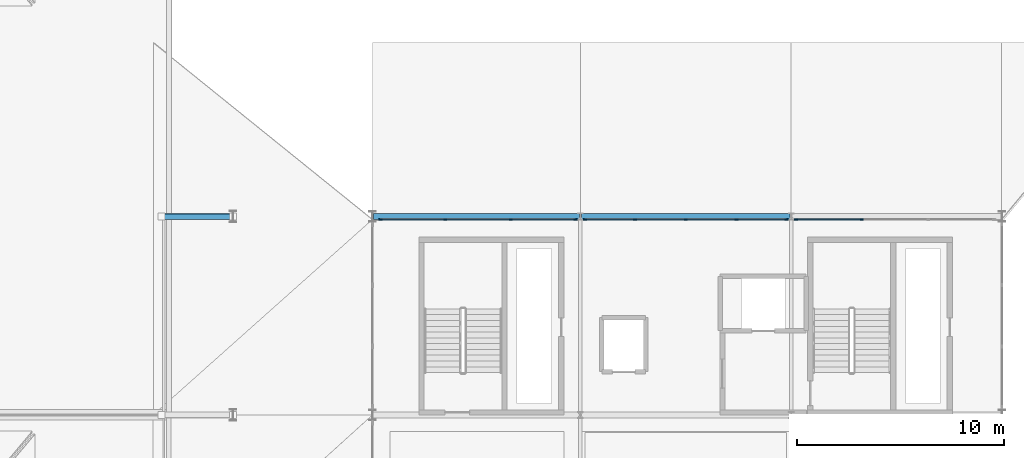
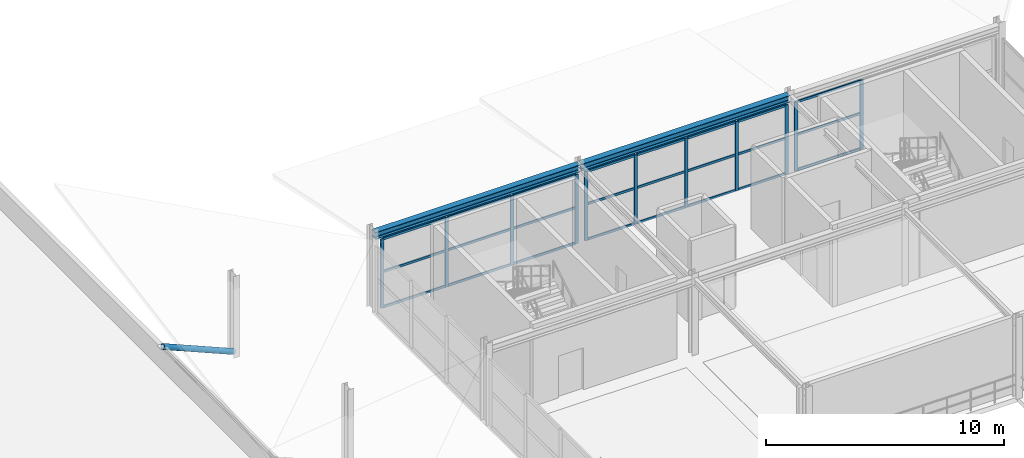
# One storey, part 25 of 81: 36 members, 2 beams, 3 elements without a shape of their own.
"""IFC4 building model written with IfcOpenShell, lengths in metres."""

import ifcopenshell
import ifcopenshell.guid

model = None  # the IFC model being written
_history = None  # IfcOwnerHistory: only IFC2X3 demands one
_inside = {}  # id of a spatial element -> (the spatial element, [elements in it])
_under = {}  # id of a project, library or spatial element -> (it, [spatial elements below it])
_declared = {}  # id of a project -> (the project, [libraries it declares])
_typed = {}  # id of a type object -> (the type object, [elements of that type])
_made_of = {}  # id of a material, layer set ... -> (it, [elements and type objects made of it])


def new_model(schema):
    """Start an empty IFC model of exactly this schema.

    Asked for "IFC4X3", IfcOpenShell would pick the latest addendum, in which some entities
    have other attributes; the version numbers below select the first issue.
    IFC2X3 requires an IfcOwnerHistory on every rooted entity: one is made here for all.
    """
    global model, _history
    if schema == "IFC4X3":
        model = ifcopenshell.file(schema_version=(4, 3, 0, 0))
    else:
        model = ifcopenshell.file(schema=schema)
    _inside.clear()
    _under.clear()
    _declared.clear()
    _typed.clear()
    _made_of.clear()
    _history = None
    if model.schema == "IFC2X3":
        org = make("IfcOrganization", Name="unknown")
        user = make(
            "IfcPersonAndOrganization",
            ThePerson=make("IfcPerson", FamilyName="unknown"),
            TheOrganization=org,
        )
        app = make(
            "IfcApplication",
            ApplicationDeveloper=org,
            Version="unknown",
            ApplicationFullName="unknown",
            ApplicationIdentifier="unknown",
        )
        _history = make(
            "IfcOwnerHistory",
            OwningUser=user,
            OwningApplication=app,
            ChangeAction="ADDED",
            CreationDate=0,
        )
    return model


def make(cls, **values):
    """One entity of the class cls with the attributes given. An attribute that is None is left unset."""
    return model.create_entity(
        cls, **{name: value for name, value in values.items() if value is not None}
    )


def rooted(cls, **values):
    """An entity with a GlobalId (a new one), such as an element, a storey or a relation."""
    return make(cls, GlobalId=ifcopenshell.guid.new(), OwnerHistory=_history, **values)


def si_unit(unit_type, name, prefix=None):
    """IfcSIUnit, for example si_unit("LENGTHUNIT", "METRE", prefix="MILLI")."""
    return make("IfcSIUnit", UnitType=unit_type, Prefix=prefix, Name=name)


def assignment(units):
    """IfcUnitAssignment: the units of a project."""
    return None if units is None else make("IfcUnitAssignment", Units=units)


def point(xyz):
    """IfcCartesianPoint."""
    return None if xyz is None else make("IfcCartesianPoint", Coordinates=xyz)


def direction(xyz):
    """IfcDirection."""
    return None if xyz is None else make("IfcDirection", DirectionRatios=xyz)


def frame(location, z_axis=None, x_axis=None):
    """IfcAxis2Placement3D, a coordinate frame: its origin and axes. An axis left out is left unset."""
    return make(
        "IfcAxis2Placement3D",
        Location=point(location),
        Axis=direction(z_axis),
        RefDirection=direction(x_axis),
    )


def frame_2d(location, x_axis=None):
    """IfcAxis2Placement2D, a coordinate frame in the plane: its origin and x axis."""
    return make(
        "IfcAxis2Placement2D", Location=point(location), RefDirection=direction(x_axis)
    )


def origin():
    """The frame at (0, 0, 0) with its axes left unset."""
    return frame((0.0, 0.0, 0.0))


def origin_2d():
    """The frame at (0, 0) in the plane with its x axis left unset."""
    return frame_2d((0.0, 0.0))


def place(relative_to, where):
    """IfcLocalPlacement: puts the frame where relative to a parent placement (None: the world)."""
    return make(
        "IfcLocalPlacement", PlacementRelTo=relative_to, RelativePlacement=where
    )


def context(
    kind, dimensions, precision=None, world=None, true_north=None, identifier=None
):
    """IfcGeometricRepresentationContext, for example the 3D "Model" context."""
    return make(
        "IfcGeometricRepresentationContext",
        ContextIdentifier=identifier,
        ContextType=kind,
        CoordinateSpaceDimension=dimensions,
        Precision=precision,
        WorldCoordinateSystem=world,
        TrueNorth=true_north,
    )


def subcontext(parent, identifier, kind, view, scale=None):
    """IfcGeometricRepresentationSubContext, for example "Body" below "Model"."""
    return make(
        "IfcGeometricRepresentationSubContext",
        ContextIdentifier=identifier,
        ContextType=kind,
        ParentContext=parent,
        TargetScale=scale,
        TargetView=view,
    )


def project(units=None, contexts=None):
    """IfcProject with its units and contexts."""
    return rooted(
        "IfcProject",
        Name="project",
        RepresentationContexts=contexts,
        UnitsInContext=assignment(units),
    )


def spatial(cls, under=None, at=None, **own):
    """A site, building, storey or space (cls), placed at a placement, below another one or the project."""
    s = rooted(cls, ObjectPlacement=at, **own)
    if under is not None:
        _under.setdefault(under.id(), (under, []))[1].append(s)
    return s


def profile(cls, at=None, kind="AREA", **sizes):
    """A parametric profile (cls). Its sizes go by their IFC names, for example OverallWidth=200.0."""
    return make(cls, ProfileType=kind, Position=at, **sizes)


def rectangle(**sizes):
    """IfcRectangleProfileDef."""
    return profile("IfcRectangleProfileDef", **sizes)


def hollow_circle(**sizes):
    """IfcCircleHollowProfileDef."""
    return profile("IfcCircleHollowProfileDef", **sizes)


def i_section(**sizes):
    """IfcIShapeProfileDef."""
    return profile("IfcIShapeProfileDef", **sizes)


def extrude(swept, where, along, depth):
    """IfcExtrudedAreaSolid: the profile swept, set in the frame where, extruded along a direction by depth."""
    return make(
        "IfcExtrudedAreaSolid",
        SweptArea=swept,
        Position=where,
        ExtrudedDirection=direction(along),
        Depth=depth,
    )


def shape(context_of_items, identifier, shape_type, items):
    """IfcShapeRepresentation: the items that make up one representation, for example the "Body"."""
    return make(
        "IfcShapeRepresentation",
        ContextOfItems=context_of_items,
        RepresentationIdentifier=identifier,
        RepresentationType=shape_type,
        Items=items,
    )


def material(Name=None, Category=None):
    """IfcMaterial."""
    return make("IfcMaterial", Name=Name, Category=Category)


def layer(
    of_material, thickness, ventilated=None, Name=None, Category=None, Priority=None
):
    """IfcMaterialLayer: one layer of a wall or slab, of a material (None: an air gap)."""
    return make(
        "IfcMaterialLayer",
        Material=of_material,
        LayerThickness=thickness,
        IsVentilated=ventilated,
        Name=Name,
        Category=Category,
        Priority=Priority,
    )


def layer_set(layers, Name=None):
    """IfcMaterialLayerSet."""
    return make("IfcMaterialLayerSet", MaterialLayers=layers, LayerSetName=Name)


def material_profile(
    of_material, cross_section, Name=None, Category=None, Priority=None
):
    """IfcMaterialProfile: a cross section and its material."""
    return make(
        "IfcMaterialProfile",
        Name=Name,
        Material=of_material,
        Profile=cross_section,
        Priority=Priority,
        Category=Category,
    )


def profile_set(profiles, Name=None, composite=None):
    """IfcMaterialProfileSet."""
    return make(
        "IfcMaterialProfileSet",
        Name=Name,
        MaterialProfiles=profiles,
        CompositeProfile=composite,
    )


def made_of(thing, what):
    """Note that an element or type object is made of a material, layer set ...; save() writes the relation."""
    if what is not None:
        _made_of.setdefault(what.id(), (what, []))[1].append(thing)
    return thing


def type_object(cls, material=None, **own):
    """A type object (cls), such as IfcWallType, which elements share."""
    return made_of(rooted(cls, **own), material)


def element(
    cls,
    number,
    at=None,
    inside=None,
    cuts=None,
    type_object=None,
    material=None,
    context=None,
    identifier="Body",
    shape_type=None,
    held_by="IfcProductDefinitionShape",
    body=None,
    shapes=None,
    **own,
):
    """One element of the class cls, such as IfcWall. Its Tag is "e" and its number.

    at: its placement. inside: the storey or other place that contains it. cuts: it is an
    opening in that element (IfcRelVoidsElement). A single representation is given by context,
    identifier, shape_type and body (its items); several are given by shapes. held_by: the class
    of the entity that holds the representations. save() writes the other relations.
    """
    e = rooted(cls, Tag="e%d" % number, ObjectPlacement=at, **own)
    if body is not None:
        shapes = [shape(context, identifier, shape_type, body)]
    if shapes is not None:
        e.Representation = make(held_by, Representations=shapes)
    if inside is not None:
        _inside.setdefault(inside.id(), (inside, []))[1].append(e)
    if cuts is not None:
        rooted(
            "IfcRelVoidsElement", RelatingBuildingElement=cuts, RelatedOpeningElement=e
        )
    if type_object is not None:
        _typed.setdefault(type_object.id(), (type_object, []))[1].append(e)
    return made_of(e, material)


def aggregate(whole, parts):
    """IfcRelAggregates: a whole, such as a stair, and the parts it consists of."""
    return rooted("IfcRelAggregates", RelatingObject=whole, RelatedObjects=parts)


def save(model, path):
    """Write the relations noted so far, then the file.

    IfcRelAggregates (storeys below a building ...), IfcRelContainedInSpatialStructure (elements
    in a storey), IfcRelDefinesByType, IfcRelAssociatesMaterial and IfcRelDeclares: one each for
    every whole, place, type object, material and project.
    """
    for whole, parts in _under.values():
        aggregate(whole, parts)
    for where, things in _inside.values():
        rooted(
            "IfcRelContainedInSpatialStructure",
            RelatedElements=things,
            RelatingStructure=where,
        )
    for kind, things in _typed.values():
        rooted("IfcRelDefinesByType", RelatedObjects=things, RelatingType=kind)
    for what, things in _made_of.values():
        rooted("IfcRelAssociatesMaterial", RelatedObjects=things, RelatingMaterial=what)
    for by, libraries in _declared.values():
        rooted("IfcRelDeclares", RelatingContext=by, RelatedDefinitions=libraries)
    model.write(path)


model = new_model("IFC4")

# Units and contexts
model_context = context("Model", 3, precision=1e-05, world=origin(), true_north=direction((0.0, 1.0)))
body_context = subcontext(model_context, "Body", "Model", "MODEL_VIEW")
ifc_project = project(units=[si_unit("LENGTHUNIT", "METRE"), si_unit("AREAUNIT", "SQUARE_METRE"), si_unit("VOLUMEUNIT", "CUBIC_METRE"), si_unit("PLANEANGLEUNIT", "RADIAN"), si_unit("MASSUNIT", "GRAM", prefix="KILO")], contexts=[model_context])

# Site, building, storey
site_placement = place(None, origin())
site = spatial("IfcSite", under=ifc_project, at=site_placement, CompositionType="ELEMENT")
building_placement = place(site_placement, origin())
building = spatial("IfcBuilding", under=site, at=building_placement, Name="Myrtia Square Station", CompositionType="ELEMENT")
storey_placement = place(building_placement, frame((0.0, 0.0, 10.800048828125)))
storey = spatial("IfcBuildingStorey", under=building, at=storey_placement, Name="L02", CompositionType="ELEMENT", Elevation=10.800048828125)

# Beams
ifc_material_1 = material(Name="Steel S355", Category="steel")
ifc_material_profile_1 = material_profile(ifc_material_1, i_section(OverallWidth=0.300048828125, OverallDepth=0.360107421875, WebThickness=0.012451171875, FlangeThickness=0.0224609375, FilletRadius=0.027099609375, at=origin_2d()), Name="HEB 360")
ifc_profile_set_1 = profile_set([ifc_material_profile_1], Name="Steel S355")
beam_type = type_object("IfcBeamType", Name="BM-HEB360", PredefinedType="BEAM", material=ifc_profile_set_1)
beam_1_placement = place(storey_placement, frame((79.39990234375, 96.0, 3.780029296875), z_axis=(1.0, 0.0, 0.0), x_axis=(0.0, 1.0, 0.0)))
element("IfcBeam", 1, at=beam_1_placement, inside=storey, type_object=beam_type, Name="Structural girder BMX-L02-0700", PredefinedType="BEAM", context=body_context, shape_type="SweptSolid", body=[
    extrude(i_section(OverallWidth=0.300048828125, OverallDepth=0.360107421875, WebThickness=0.012451171875, FlangeThickness=0.0224609375, FilletRadius=0.027099609375, at=origin_2d()), origin(), (0.0, 0.0, 1.0), 9.9501953125),
])
beam_2_placement = place(storey_placement, frame((89.449951171875, 96.0, 3.780029296875), z_axis=(1.0, 0.0, 0.0), x_axis=(0.0, 1.0, 0.0)))
element("IfcBeam", 2, at=beam_2_placement, inside=storey, type_object=beam_type, Name="Structural girder BMX-L02-0701", PredefinedType="BEAM", context=body_context, shape_type="SweptSolid", body=[
    extrude(i_section(OverallWidth=0.300048828125, OverallDepth=0.360107421875, WebThickness=0.012451171875, FlangeThickness=0.0224609375, FilletRadius=0.027099609375, at=origin_2d()), origin(), (0.0, 0.0, 1.0), 10.10009765625),
])

# Curtain wall, members
ifc_material_2 = material(Name="Dark bronze anodised aluminium", Category="aluminium")
ifc_layer_1 = layer(ifc_material_2, 0.159912109375, Name="Dark bronze anodised aluminium")
ifc_layer_set_1 = layer_set([ifc_layer_1], Name="Dark bronze anodised aluminium")
curtain_wall_type_1 = type_object("IfcCurtainWallType", Name="CW-TYPE-12-950x355", PredefinedType="USERDEFINED", material=ifc_layer_set_1)
curtain_wall_1_placement = place(storey_placement, origin())
curtain_wall_1 = element("IfcCurtainWall", 3, at=curtain_wall_1_placement, inside=storey, type_object=curtain_wall_type_1, Name="Concourse curtain wall CW-L02-048", ObjectType="CONCOURSE CURTAIN WALL", PredefinedType="USERDEFINED")
ifc_material_profile_2 = material_profile(ifc_material_2, rectangle(XDim=0.06005859375, YDim=0.159912109375, at=origin_2d()), Name="ALU-M 60x160")
ifc_profile_set_2 = profile_set([ifc_material_profile_2], Name="Dark bronze anodised aluminium")
member_type_1 = type_object("IfcMemberType", Name="CWM-60x160", PredefinedType="MULLION", material=ifc_profile_set_2)
member_1_placement = place(storey_placement, frame((79.72998046875, 95.85009765625, 0.0), z_axis=(0.0, 0.0, 1.0), x_axis=(0.0, 1.0, 0.0)))
member_1 = element("IfcMember", 4, at=member_1_placement, type_object=member_type_1, Name="CW-048 mullion 1", PredefinedType="MULLION", context=body_context, shape_type="SweptSolid", body=[
    extrude(rectangle(XDim=0.06005859375, YDim=0.159912109375, at=origin_2d()), origin(), (0.0, 0.0, 1.0), 3.550048828125),
])
member_2_placement = place(storey_placement, frame((82.86669921875, 95.85009765625, 0.0), z_axis=(0.0, 0.0, 1.0), x_axis=(0.0, 1.0, 0.0)))
member_2 = element("IfcMember", 5, at=member_2_placement, type_object=member_type_1, Name="CW-048 mullion 2", PredefinedType="MULLION", context=body_context, shape_type="SweptSolid", body=[
    extrude(rectangle(XDim=0.06005859375, YDim=0.159912109375, at=origin_2d()), origin(), (0.0, 0.0, 1.0), 3.550048828125),
])
member_3_placement = place(storey_placement, frame((86.033447265625, 95.85009765625, 0.0), z_axis=(0.0, 0.0, 1.0), x_axis=(0.0, 1.0, 0.0)))
member_3 = element("IfcMember", 6, at=member_3_placement, type_object=member_type_1, Name="CW-048 mullion 3", PredefinedType="MULLION", context=body_context, shape_type="SweptSolid", body=[
    extrude(rectangle(XDim=0.06005859375, YDim=0.159912109375, at=origin_2d()), origin(), (0.0, 0.0, 1.0), 3.550048828125),
])
member_4_placement = place(storey_placement, frame((89.169921875, 95.85009765625, 0.0), z_axis=(0.0, 0.0, 1.0), x_axis=(0.0, 1.0, 0.0)))
member_4 = element("IfcMember", 7, at=member_4_placement, type_object=member_type_1, Name="CW-048 mullion 4", PredefinedType="MULLION", context=body_context, shape_type="SweptSolid", body=[
    extrude(rectangle(XDim=0.06005859375, YDim=0.159912109375, at=origin_2d()), origin(), (0.0, 0.0, 1.0), 3.550048828125),
])

ifc_layer_2 = layer(ifc_material_2, 0.159912109375, Name="Dark bronze anodised aluminium")
ifc_layer_set_2 = layer_set([ifc_layer_2], Name="Dark bronze anodised aluminium")
curtain_wall_type_2 = type_object("IfcCurtainWallType", Name="CW-TYPE-13-980x355", PredefinedType="USERDEFINED", material=ifc_layer_set_2)
curtain_wall_2_placement = place(storey_placement, origin())
curtain_wall_2 = element("IfcCurtainWall", 8, at=curtain_wall_2_placement, inside=storey, type_object=curtain_wall_type_2, Name="Concourse curtain wall CW-L02-050", ObjectType="CONCOURSE CURTAIN WALL", PredefinedType="USERDEFINED")
member_5_placement = place(storey_placement, frame((89.6298828125, 95.85009765625, 0.0), z_axis=(0.0, 0.0, 1.0), x_axis=(0.0, 1.0, 0.0)))
member_5 = element("IfcMember", 9, at=member_5_placement, type_object=member_type_1, Name="CW-050 mullion 1", PredefinedType="MULLION", context=body_context, shape_type="SweptSolid", body=[
    extrude(rectangle(XDim=0.06005859375, YDim=0.159912109375, at=origin_2d()), origin(), (0.0, 0.0, 1.0), 3.550048828125),
])
member_6_placement = place(storey_placement, frame((92.050048828125, 95.85009765625, 0.0), z_axis=(0.0, 0.0, 1.0), x_axis=(0.0, 1.0, 0.0)))
member_6 = element("IfcMember", 10, at=member_6_placement, type_object=member_type_1, Name="CW-050 mullion 2", PredefinedType="MULLION", context=body_context, shape_type="SweptSolid", body=[
    extrude(rectangle(XDim=0.06005859375, YDim=0.159912109375, at=origin_2d()), origin(), (0.0, 0.0, 1.0), 3.550048828125),
])
member_7_placement = place(storey_placement, frame((94.5, 95.85009765625, 0.0), z_axis=(0.0, 0.0, 1.0), x_axis=(0.0, 1.0, 0.0)))
member_7 = element("IfcMember", 11, at=member_7_placement, type_object=member_type_1, Name="CW-050 mullion 3", PredefinedType="MULLION", context=body_context, shape_type="SweptSolid", body=[
    extrude(rectangle(XDim=0.06005859375, YDim=0.159912109375, at=origin_2d()), origin(), (0.0, 0.0, 1.0), 3.550048828125),
])
member_8_placement = place(storey_placement, frame((96.949951171875, 95.85009765625, 0.0), z_axis=(0.0, 0.0, 1.0), x_axis=(0.0, 1.0, 0.0)))
member_8 = element("IfcMember", 12, at=member_8_placement, type_object=member_type_1, Name="CW-050 mullion 4", PredefinedType="MULLION", context=body_context, shape_type="SweptSolid", body=[
    extrude(rectangle(XDim=0.06005859375, YDim=0.159912109375, at=origin_2d()), origin(), (0.0, 0.0, 1.0), 3.550048828125),
])
member_9_placement = place(storey_placement, frame((99.3701171875, 95.85009765625, 0.0), z_axis=(0.0, 0.0, 1.0), x_axis=(0.0, 1.0, 0.0)))
member_9 = element("IfcMember", 13, at=member_9_placement, type_object=member_type_1, Name="CW-050 mullion 5", PredefinedType="MULLION", context=body_context, shape_type="SweptSolid", body=[
    extrude(rectangle(XDim=0.06005859375, YDim=0.159912109375, at=origin_2d()), origin(), (0.0, 0.0, 1.0), 3.550048828125),
])

ifc_layer_3 = layer(ifc_material_2, 0.159912109375, Name="Dark bronze anodised aluminium")
ifc_layer_set_3 = layer_set([ifc_layer_3], Name="Dark bronze anodised aluminium")
curtain_wall_type_3 = type_object("IfcCurtainWallType", Name="CW-TYPE-14-965x355", PredefinedType="USERDEFINED", material=ifc_layer_set_3)
curtain_wall_3_placement = place(storey_placement, origin())
curtain_wall_3 = element("IfcCurtainWall", 14, at=curtain_wall_3_placement, inside=storey, type_object=curtain_wall_type_3, Name="Concourse curtain wall CW-L02-052", ObjectType="CONCOURSE CURTAIN WALL", PredefinedType="USERDEFINED")
member_10_placement = place(storey_placement, frame((99.830078125, 95.85009765625, 0.0), z_axis=(0.0, 0.0, 1.0), x_axis=(0.0, 1.0, 0.0)))
member_10 = element("IfcMember", 15, at=member_10_placement, type_object=member_type_1, Name="CW-052 mullion 1", PredefinedType="MULLION", context=body_context, shape_type="SweptSolid", body=[
    extrude(rectangle(XDim=0.06005859375, YDim=0.159912109375, at=origin_2d()), origin(), (0.0, 0.0, 1.0), 3.550048828125),
])
member_11_placement = place(storey_placement, frame((103.0166015625, 95.85009765625, 0.0), z_axis=(0.0, 0.0, 1.0), x_axis=(0.0, 1.0, 0.0)))
member_11 = element("IfcMember", 16, at=member_11_placement, type_object=member_type_1, Name="CW-052 mullion 2", PredefinedType="MULLION", context=body_context, shape_type="SweptSolid", body=[
    extrude(rectangle(XDim=0.06005859375, YDim=0.159912109375, at=origin_2d()), origin(), (0.0, 0.0, 1.0), 3.550048828125),
])

# Member
ifc_material_profile_3 = material_profile(ifc_material_2, rectangle(XDim=0.06005859375, YDim=0.1201171875, at=origin_2d()), Name="ALU-T 60x120")
ifc_profile_set_3 = profile_set([ifc_material_profile_3], Name="Dark bronze anodised aluminium")
member_type_2 = type_object("IfcMemberType", Name="CWT-60x120", PredefinedType="USERDEFINED", material=ifc_profile_set_3)
member_12_placement = place(storey_placement, frame((79.760009765625, 95.85009765625, 0.030029296875), z_axis=(1.0, 0.0, 0.0), x_axis=(0.0, 1.0, 0.0)))
member_12 = element("IfcMember", 17, at=member_12_placement, type_object=member_type_2, Name="CW-048 transom 1.1", ObjectType="TRANSOM", PredefinedType="USERDEFINED", context=body_context, shape_type="SweptSolid", body=[
    extrude(rectangle(XDim=0.06005859375, YDim=0.1201171875, at=origin_2d()), origin(), (0.0, 0.0, 1.0), 3.07666015625),
])

member_13_placement = place(storey_placement, frame((79.760009765625, 95.85009765625, 1.845947265625), z_axis=(1.0, 0.0, 0.0), x_axis=(0.0, 1.0, 0.0)))
member_13 = element("IfcMember", 18, at=member_13_placement, type_object=member_type_2, Name="CW-048 transom 1.2", ObjectType="TRANSOM", PredefinedType="USERDEFINED", context=body_context, shape_type="SweptSolid", body=[
    extrude(rectangle(XDim=0.06005859375, YDim=0.1201171875, at=origin_2d()), origin(), (0.0, 0.0, 1.0), 3.07666015625),
])

member_14_placement = place(storey_placement, frame((79.760009765625, 95.85009765625, 3.52001953125), z_axis=(1.0, 0.0, 0.0), x_axis=(0.0, 1.0, 0.0)))
member_14 = element("IfcMember", 19, at=member_14_placement, type_object=member_type_2, Name="CW-048 transom 1.3", ObjectType="TRANSOM", PredefinedType="USERDEFINED", context=body_context, shape_type="SweptSolid", body=[
    extrude(rectangle(XDim=0.06005859375, YDim=0.1201171875, at=origin_2d()), origin(), (0.0, 0.0, 1.0), 3.07666015625),
])

member_15_placement = place(storey_placement, frame((82.896728515625, 95.85009765625, 0.030029296875), z_axis=(1.0, 0.0, 0.0), x_axis=(0.0, 1.0, 0.0)))
member_15 = element("IfcMember", 20, at=member_15_placement, type_object=member_type_2, Name="CW-048 transom 2.1", ObjectType="TRANSOM", PredefinedType="USERDEFINED", context=body_context, shape_type="SweptSolid", body=[
    extrude(rectangle(XDim=0.06005859375, YDim=0.1201171875, at=origin_2d()), origin(), (0.0, 0.0, 1.0), 3.106689453125),
])

member_16_placement = place(storey_placement, frame((82.896728515625, 95.85009765625, 1.845947265625), z_axis=(1.0, 0.0, 0.0), x_axis=(0.0, 1.0, 0.0)))
member_16 = element("IfcMember", 21, at=member_16_placement, type_object=member_type_2, Name="CW-048 transom 2.2", ObjectType="TRANSOM", PredefinedType="USERDEFINED", context=body_context, shape_type="SweptSolid", body=[
    extrude(rectangle(XDim=0.06005859375, YDim=0.1201171875, at=origin_2d()), origin(), (0.0, 0.0, 1.0), 3.106689453125),
])

member_17_placement = place(storey_placement, frame((82.896728515625, 95.85009765625, 3.52001953125), z_axis=(1.0, 0.0, 0.0), x_axis=(0.0, 1.0, 0.0)))
member_17 = element("IfcMember", 22, at=member_17_placement, type_object=member_type_2, Name="CW-048 transom 2.3", ObjectType="TRANSOM", PredefinedType="USERDEFINED", context=body_context, shape_type="SweptSolid", body=[
    extrude(rectangle(XDim=0.06005859375, YDim=0.1201171875, at=origin_2d()), origin(), (0.0, 0.0, 1.0), 3.106689453125),
])

member_18_placement = place(storey_placement, frame((86.063232421875, 95.85009765625, 0.030029296875), z_axis=(1.0, 0.0, 0.0), x_axis=(0.0, 1.0, 0.0)))
member_18 = element("IfcMember", 23, at=member_18_placement, type_object=member_type_2, Name="CW-048 transom 3.1", ObjectType="TRANSOM", PredefinedType="USERDEFINED", context=body_context, shape_type="SweptSolid", body=[
    extrude(rectangle(XDim=0.06005859375, YDim=0.1201171875, at=origin_2d()), origin(), (0.0, 0.0, 1.0), 3.07666015625),
])

member_19_placement = place(storey_placement, frame((86.063232421875, 95.85009765625, 1.845947265625), z_axis=(1.0, 0.0, 0.0), x_axis=(0.0, 1.0, 0.0)))
member_19 = element("IfcMember", 24, at=member_19_placement, type_object=member_type_2, Name="CW-048 transom 3.2", ObjectType="TRANSOM", PredefinedType="USERDEFINED", context=body_context, shape_type="SweptSolid", body=[
    extrude(rectangle(XDim=0.06005859375, YDim=0.1201171875, at=origin_2d()), origin(), (0.0, 0.0, 1.0), 3.07666015625),
])

member_20_placement = place(storey_placement, frame((86.063232421875, 95.85009765625, 3.52001953125), z_axis=(1.0, 0.0, 0.0), x_axis=(0.0, 1.0, 0.0)))
member_20 = element("IfcMember", 25, at=member_20_placement, type_object=member_type_2, Name="CW-048 transom 3.3", ObjectType="TRANSOM", PredefinedType="USERDEFINED", context=body_context, shape_type="SweptSolid", body=[
    extrude(rectangle(XDim=0.06005859375, YDim=0.1201171875, at=origin_2d()), origin(), (0.0, 0.0, 1.0), 3.07666015625),
])

aggregate(curtain_wall_1, [member_1, member_2, member_3, member_4, member_12, member_13, member_14, member_15, member_16, member_17, member_18, member_19, member_20])

member_21_placement = place(storey_placement, frame((89.659912109375, 95.85009765625, 0.030029296875), z_axis=(1.0, 0.0, 0.0), x_axis=(0.0, 1.0, 0.0)))
member_21 = element("IfcMember", 26, at=member_21_placement, type_object=member_type_2, Name="CW-050 transom 1.1", ObjectType="TRANSOM", PredefinedType="USERDEFINED", context=body_context, shape_type="SweptSolid", body=[
    extrude(rectangle(XDim=0.06005859375, YDim=0.1201171875, at=origin_2d()), origin(), (0.0, 0.0, 1.0), 2.360107421875),
])

member_22_placement = place(storey_placement, frame((89.659912109375, 95.85009765625, 1.845947265625), z_axis=(1.0, 0.0, 0.0), x_axis=(0.0, 1.0, 0.0)))
member_22 = element("IfcMember", 27, at=member_22_placement, type_object=member_type_2, Name="CW-050 transom 1.2", ObjectType="TRANSOM", PredefinedType="USERDEFINED", context=body_context, shape_type="SweptSolid", body=[
    extrude(rectangle(XDim=0.06005859375, YDim=0.1201171875, at=origin_2d()), origin(), (0.0, 0.0, 1.0), 2.360107421875),
])

member_23_placement = place(storey_placement, frame((89.659912109375, 95.85009765625, 3.52001953125), z_axis=(1.0, 0.0, 0.0), x_axis=(0.0, 1.0, 0.0)))
member_23 = element("IfcMember", 28, at=member_23_placement, type_object=member_type_2, Name="CW-050 transom 1.3", ObjectType="TRANSOM", PredefinedType="USERDEFINED", context=body_context, shape_type="SweptSolid", body=[
    extrude(rectangle(XDim=0.06005859375, YDim=0.1201171875, at=origin_2d()), origin(), (0.0, 0.0, 1.0), 2.360107421875),
])

member_24_placement = place(storey_placement, frame((92.080078125, 95.85009765625, 0.030029296875), z_axis=(1.0, 0.0, 0.0), x_axis=(0.0, 1.0, 0.0)))
member_24 = element("IfcMember", 29, at=member_24_placement, type_object=member_type_2, Name="CW-050 transom 2.1", ObjectType="TRANSOM", PredefinedType="USERDEFINED", context=body_context, shape_type="SweptSolid", body=[
    extrude(rectangle(XDim=0.06005859375, YDim=0.1201171875, at=origin_2d()), origin(), (0.0, 0.0, 1.0), 2.389892578125),
])

member_25_placement = place(storey_placement, frame((92.080078125, 95.85009765625, 1.845947265625), z_axis=(1.0, 0.0, 0.0), x_axis=(0.0, 1.0, 0.0)))
member_25 = element("IfcMember", 30, at=member_25_placement, type_object=member_type_2, Name="CW-050 transom 2.2", ObjectType="TRANSOM", PredefinedType="USERDEFINED", context=body_context, shape_type="SweptSolid", body=[
    extrude(rectangle(XDim=0.06005859375, YDim=0.1201171875, at=origin_2d()), origin(), (0.0, 0.0, 1.0), 2.389892578125),
])

member_26_placement = place(storey_placement, frame((92.080078125, 95.85009765625, 3.52001953125), z_axis=(1.0, 0.0, 0.0), x_axis=(0.0, 1.0, 0.0)))
member_26 = element("IfcMember", 31, at=member_26_placement, type_object=member_type_2, Name="CW-050 transom 2.3", ObjectType="TRANSOM", PredefinedType="USERDEFINED", context=body_context, shape_type="SweptSolid", body=[
    extrude(rectangle(XDim=0.06005859375, YDim=0.1201171875, at=origin_2d()), origin(), (0.0, 0.0, 1.0), 2.389892578125),
])

member_27_placement = place(storey_placement, frame((94.530029296875, 95.85009765625, 0.030029296875), z_axis=(1.0, 0.0, 0.0), x_axis=(0.0, 1.0, 0.0)))
member_27 = element("IfcMember", 32, at=member_27_placement, type_object=member_type_2, Name="CW-050 transom 3.1", ObjectType="TRANSOM", PredefinedType="USERDEFINED", context=body_context, shape_type="SweptSolid", body=[
    extrude(rectangle(XDim=0.06005859375, YDim=0.1201171875, at=origin_2d()), origin(), (0.0, 0.0, 1.0), 2.389892578125),
])

member_28_placement = place(storey_placement, frame((94.530029296875, 95.85009765625, 1.845947265625), z_axis=(1.0, 0.0, 0.0), x_axis=(0.0, 1.0, 0.0)))
member_28 = element("IfcMember", 33, at=member_28_placement, type_object=member_type_2, Name="CW-050 transom 3.2", ObjectType="TRANSOM", PredefinedType="USERDEFINED", context=body_context, shape_type="SweptSolid", body=[
    extrude(rectangle(XDim=0.06005859375, YDim=0.1201171875, at=origin_2d()), origin(), (0.0, 0.0, 1.0), 2.389892578125),
])

member_29_placement = place(storey_placement, frame((94.530029296875, 95.85009765625, 3.52001953125), z_axis=(1.0, 0.0, 0.0), x_axis=(0.0, 1.0, 0.0)))
member_29 = element("IfcMember", 34, at=member_29_placement, type_object=member_type_2, Name="CW-050 transom 3.3", ObjectType="TRANSOM", PredefinedType="USERDEFINED", context=body_context, shape_type="SweptSolid", body=[
    extrude(rectangle(XDim=0.06005859375, YDim=0.1201171875, at=origin_2d()), origin(), (0.0, 0.0, 1.0), 2.389892578125),
])

member_30_placement = place(storey_placement, frame((96.97998046875, 95.85009765625, 0.030029296875), z_axis=(1.0, 0.0, 0.0), x_axis=(0.0, 1.0, 0.0)))
member_30 = element("IfcMember", 35, at=member_30_placement, type_object=member_type_2, Name="CW-050 transom 4.1", ObjectType="TRANSOM", PredefinedType="USERDEFINED", context=body_context, shape_type="SweptSolid", body=[
    extrude(rectangle(XDim=0.06005859375, YDim=0.1201171875, at=origin_2d()), origin(), (0.0, 0.0, 1.0), 2.360107421875),
])

member_31_placement = place(storey_placement, frame((96.97998046875, 95.85009765625, 1.845947265625), z_axis=(1.0, 0.0, 0.0), x_axis=(0.0, 1.0, 0.0)))
member_31 = element("IfcMember", 36, at=member_31_placement, type_object=member_type_2, Name="CW-050 transom 4.2", ObjectType="TRANSOM", PredefinedType="USERDEFINED", context=body_context, shape_type="SweptSolid", body=[
    extrude(rectangle(XDim=0.06005859375, YDim=0.1201171875, at=origin_2d()), origin(), (0.0, 0.0, 1.0), 2.360107421875),
])

member_32_placement = place(storey_placement, frame((96.97998046875, 95.85009765625, 3.52001953125), z_axis=(1.0, 0.0, 0.0), x_axis=(0.0, 1.0, 0.0)))
member_32 = element("IfcMember", 37, at=member_32_placement, type_object=member_type_2, Name="CW-050 transom 4.3", ObjectType="TRANSOM", PredefinedType="USERDEFINED", context=body_context, shape_type="SweptSolid", body=[
    extrude(rectangle(XDim=0.06005859375, YDim=0.1201171875, at=origin_2d()), origin(), (0.0, 0.0, 1.0), 2.360107421875),
])

aggregate(curtain_wall_2, [member_5, member_6, member_7, member_8, member_9, member_21, member_22, member_23, member_24, member_25, member_26, member_27, member_28, member_29, member_30, member_31, member_32])

member_33_placement = place(storey_placement, frame((99.860107421875, 95.85009765625, 0.030029296875), z_axis=(1.0, 0.0, 0.0), x_axis=(0.0, 1.0, 0.0)))
member_33 = element("IfcMember", 38, at=member_33_placement, type_object=member_type_2, Name="CW-052 transom 1.1", ObjectType="TRANSOM", PredefinedType="USERDEFINED", context=body_context, shape_type="SweptSolid", body=[
    extrude(rectangle(XDim=0.06005859375, YDim=0.1201171875, at=origin_2d()), origin(), (0.0, 0.0, 1.0), 3.12646484375),
])

member_34_placement = place(storey_placement, frame((99.860107421875, 95.85009765625, 1.845947265625), z_axis=(1.0, 0.0, 0.0), x_axis=(0.0, 1.0, 0.0)))
member_34 = element("IfcMember", 39, at=member_34_placement, type_object=member_type_2, Name="CW-052 transom 1.2", ObjectType="TRANSOM", PredefinedType="USERDEFINED", context=body_context, shape_type="SweptSolid", body=[
    extrude(rectangle(XDim=0.06005859375, YDim=0.1201171875, at=origin_2d()), origin(), (0.0, 0.0, 1.0), 3.12646484375),
])

member_35_placement = place(storey_placement, frame((99.860107421875, 95.85009765625, 3.52001953125), z_axis=(1.0, 0.0, 0.0), x_axis=(0.0, 1.0, 0.0)))
member_35 = element("IfcMember", 40, at=member_35_placement, type_object=member_type_2, Name="CW-052 transom 1.3", ObjectType="TRANSOM", PredefinedType="USERDEFINED", context=body_context, shape_type="SweptSolid", body=[
    extrude(rectangle(XDim=0.06005859375, YDim=0.1201171875, at=origin_2d()), origin(), (0.0, 0.0, 1.0), 3.12646484375),
])

aggregate(curtain_wall_3, [member_10, member_11, member_33, member_34, member_35])

ifc_material_profile_4 = material_profile(ifc_material_1, hollow_circle(Radius=0.136474609375, WallThickness=0.01611328125, at=origin_2d()), Name="CHS 273x16")
ifc_profile_set_4 = profile_set([ifc_material_profile_4], Name="Steel S355")
member_type_3 = type_object("IfcMemberType", Name="STR-CHS273", PredefinedType="STRUT", material=ifc_profile_set_4)
member_36_placement = place(storey_placement, frame((72.60009765625, 96.0, 0.14990234375), z_axis=(-0.920450451423, 0.0, 0.39085926684), x_axis=(0.0, -1.0, 0.0)))
element("IfcMember", 41, at=member_36_placement, inside=storey, type_object=member_type_3, Name="Lower wrap west raking strut STR-LO-028", PredefinedType="STRUT", context=body_context, shape_type="SweptSolid", body=[
    extrude(hollow_circle(Radius=0.136474609375, WallThickness=0.01611328125, at=origin_2d()), origin(), (0.0, 0.0, 1.0), 3.748291015625),
])

save(model, "model.ifc")
